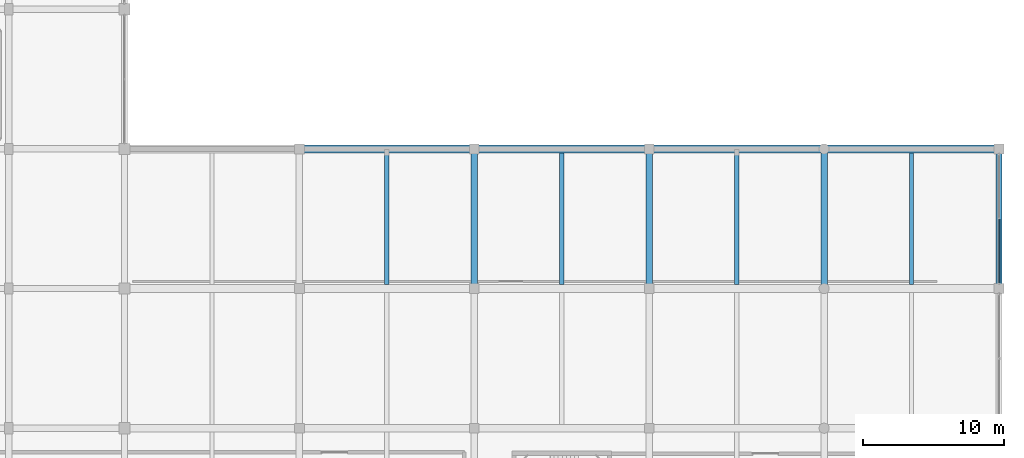
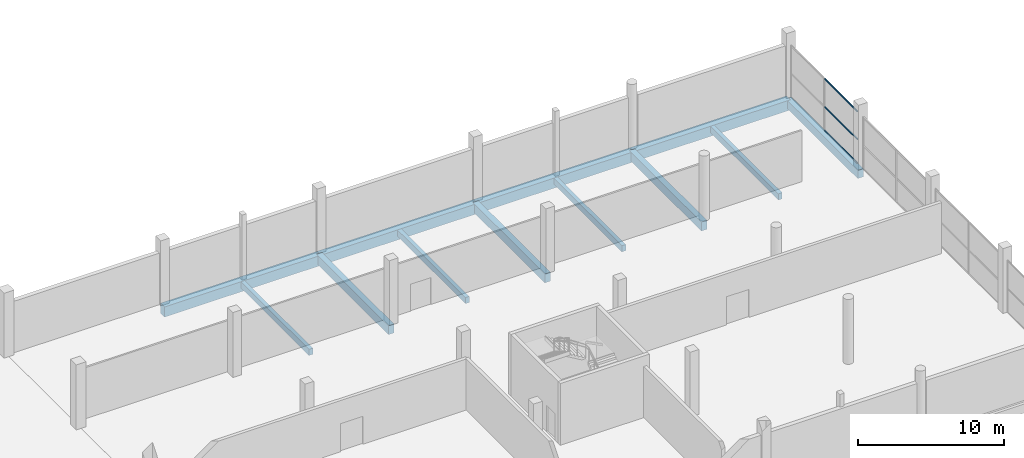
# One storey, part 37 of 72: 12 beams, 3 members, 1 element without a shape of its own.
"""IFC4 building model written with IfcOpenShell, lengths in metres."""

from ifc_helpers import new_model, si_unit, direction, frame, origin, origin_2d, place, context, subcontext, project, spatial, rectangle, hollow_rectangle, extrude, material, layer, layer_set, material_profile, profile_set, type_object, element, aggregate, save


model = new_model("IFC4")

# Units and contexts
model_context = context("Model", 3, precision=1e-05, world=origin(), true_north=direction((0.0, 1.0)))
body_context = subcontext(model_context, "Body", "Model", "MODEL_VIEW")
ifc_project = project(units=[si_unit("LENGTHUNIT", "METRE"), si_unit("AREAUNIT", "SQUARE_METRE"), si_unit("VOLUMEUNIT", "CUBIC_METRE"), si_unit("PLANEANGLEUNIT", "RADIAN"), si_unit("MASSUNIT", "GRAM", prefix="KILO")], contexts=[model_context])

# Site, building, storey
site_placement = place(None, origin())
site = spatial("IfcSite", under=ifc_project, at=site_placement, CompositionType="ELEMENT")
building_placement = place(site_placement, origin())
building = spatial("IfcBuilding", under=site, at=building_placement, Name="Sillaruma Civic Art Gallery", CompositionType="ELEMENT")
storey_placement = place(building_placement, frame((0.0, 0.0, 10.8798828125)))
storey = spatial("IfcBuildingStorey", under=building, at=storey_placement, Name="L02", CompositionType="ELEMENT", Elevation=10.8798828125)

# Beams
ifc_material_1 = material(Name="Concrete H40 (40 MPa)", Category="concrete")
ifc_material_profile_1 = material_profile(ifc_material_1, rectangle(XDim=0.449951171875, YDim=0.75, at=origin_2d()), Name="RCB450x750")
ifc_profile_set_1 = profile_set([ifc_material_profile_1], Name="Concrete H40 (40 MPa)")
beam_type_1 = type_object("IfcBeamType", Name="BM-BEAM-RCB450x750", PredefinedType="BEAM", material=ifc_profile_set_1)
for number, where, z_axis, x_axis, name in (
    (1, (139.199951171875, 29.699951171875, -0.634765625), (0.0, 1.0, 0.0), (-1.0, 0.0, 0.0), "Beam BM-03 (L01:Q:4-5)"),
    (2, (151.60009765625, 29.699951171875, -0.634765625), (0.0, 1.0, 0.0), (-1.0, 0.0, 0.0), "Beam BM-03 (L01:R:4-5)"),
    (3, (164.0, 29.699951171875, -0.634765625), (0.0, 1.0, 0.0), (-1.0, 0.0, 0.0), "Beam BM-03 (L01:S:4-5)"),
):
    element("IfcBeam", number, at=place(storey_placement, frame(where, z_axis=z_axis, x_axis=x_axis)), inside=storey, type_object=beam_type_1, Name=name, PredefinedType="BEAM", context=body_context, shape_type="SweptSolid", body=[
        extrude(rectangle(XDim=0.449951171875, YDim=0.75, at=origin_2d()), origin(), (0.0, 0.0, 1.0), 9.900146484375),
    ])
ifc_material_profile_2 = material_profile(ifc_material_1, rectangle(XDim=0.550048828125, YDim=0.85009765625, at=origin_2d()), Name="RCB550x850")
ifc_profile_set_2 = profile_set([ifc_material_profile_2], Name="Concrete H40 (40 MPa)")
beam_type_2 = type_object("IfcBeamType", Name="BM-BEAM-RCB550x850", PredefinedType="BEAM", material=ifc_profile_set_2)
beam_1_placement = place(storey_placement, frame((126.800048828125, 39.60009765625, -0.684814453125), z_axis=(1.0, 0.0, 0.0), x_axis=(0.0, 1.0, 0.0)))
element("IfcBeam", 4, at=beam_1_placement, inside=storey, type_object=beam_type_2, Name="Beam BM-01 (L01:5:P-Q)", PredefinedType="BEAM", context=body_context, shape_type="SweptSolid", body=[
    extrude(rectangle(XDim=0.550048828125, YDim=0.85009765625, at=origin_2d()), origin(), (0.0, 0.0, 1.0), 12.39990234375),
])
beam_2_placement = place(storey_placement, frame((139.199951171875, 39.60009765625, -0.684814453125), z_axis=(1.0, 0.0, 0.0), x_axis=(0.0, 1.0, 0.0)))
element("IfcBeam", 5, at=beam_2_placement, inside=storey, type_object=beam_type_2, Name="Beam BM-01 (L01:5:Q-R)", PredefinedType="BEAM", context=body_context, shape_type="SweptSolid", body=[
    extrude(rectangle(XDim=0.550048828125, YDim=0.85009765625, at=origin_2d()), origin(), (0.0, 0.0, 1.0), 12.400146484375),
])
for number, where, z_axis, x_axis, name in (
    (6, (151.60009765625, 39.60009765625, -0.684814453125), (1.0, 0.0, 0.0), (0.0, 1.0, 0.0), "Beam BM-01 (L01:5:R-S)"),
    (7, (164.0, 39.60009765625, -0.684814453125), (1.0, 0.0, 0.0), (0.0, 1.0, 0.0), "Beam BM-01 (L01:5:S-T)"),
):
    element("IfcBeam", number, at=place(storey_placement, frame(where, z_axis=z_axis, x_axis=x_axis)), inside=storey, type_object=beam_type_2, Name=name, PredefinedType="BEAM", context=body_context, shape_type="SweptSolid", body=[
        extrude(rectangle(XDim=0.550048828125, YDim=0.85009765625, at=origin_2d()), origin(), (0.0, 0.0, 1.0), 12.39990234375),
    ])
ifc_material_2 = material(Name="Concrete H35 (35 MPa)", Category="concrete")
ifc_material_profile_3 = material_profile(ifc_material_2, rectangle(XDim=0.300048828125, YDim=0.52001953125, at=origin_2d()), Name="RCB300x520")
ifc_profile_set_3 = profile_set([ifc_material_profile_3], Name="Concrete H35 (35 MPa)")
beam_type_3 = type_object("IfcBeamType", Name="BM-JOIST-RCB300x520", PredefinedType="JOIST", material=ifc_profile_set_3)
for number, where, z_axis, x_axis, name in (
    (8, (133.0, 29.97509765625, -0.519775390625), (0.0, 1.0, 0.0), (-1.0, 0.0, 0.0), "Floor Joist JR-01 (L01:PQ:4-5)"),
    (9, (145.39990234375, 29.97509765625, -0.519775390625), (0.0, 1.0, 0.0), (-1.0, 0.0, 0.0), "Floor Joist JR-01 (L01:QR:4-5)"),
    (10, (157.800048828125, 29.97509765625, -0.519775390625), (0.0, 1.0, 0.0), (-1.0, 0.0, 0.0), "Floor Joist JR-01 (L01:RS:4-5)"),
    (11, (170.199951171875, 29.97509765625, -0.519775390625), (0.0, 1.0, 0.0), (-1.0, 0.0, 0.0), "Floor Joist JR-01 (L01:ST:4-5)"),
):
    element("IfcBeam", number, at=place(storey_placement, frame(where, z_axis=z_axis, x_axis=x_axis)), inside=storey, type_object=beam_type_3, Name=name, PredefinedType="JOIST", context=body_context, shape_type="SweptSolid", body=[
        extrude(rectangle(XDim=0.300048828125, YDim=0.52001953125, at=origin_2d()), origin(), (0.0, 0.0, 1.0), 9.349853515625),
    ])
ifc_material_profile_4 = material_profile(ifc_material_2, rectangle(XDim=0.449951171875, YDim=0.699951171875, at=origin_2d()), Name="RCB450x700")
ifc_profile_set_4 = profile_set([ifc_material_profile_4], Name="Concrete H35 (35 MPa)")
beam_type_4 = type_object("IfcBeamType", Name="BM-SPANDREL-RCB450x700", PredefinedType="SPANDREL", material=ifc_profile_set_4)
beam_3_placement = place(storey_placement, frame((176.39990234375, 29.699951171875, -0.60986328125), z_axis=(0.0, 1.0, 0.0), x_axis=(-1.0, 0.0, 0.0)))
element("IfcBeam", 12, at=beam_3_placement, inside=storey, type_object=beam_type_4, Name="Beam BS-03 (L01:T:4-5)", PredefinedType="SPANDREL", context=body_context, shape_type="SweptSolid", body=[
    extrude(rectangle(XDim=0.449951171875, YDim=0.699951171875, at=origin_2d()), origin(), (0.0, 0.0, 1.0), 9.900146484375),
])

# Curtain wall, members
ifc_material_3 = material(Name="Thermally Broken Extruded Aluminium 6063-T6", Category="aluminium")
ifc_layer = layer(ifc_material_3, 0.159912109375, Name="Thermally Broken Extruded Aluminium 6063-T6")
ifc_layer_set = layer_set([ifc_layer], Name="Thermally Broken Extruded Aluminium 6063-T6")
curtain_wall_type = type_object("IfcCurtainWallType", Name="CW-UNI-07", PredefinedType="NOTDEFINED", material=ifc_layer_set)
curtain_wall_placement = place(storey_placement, origin())
curtain_wall = element("IfcCurtainWall", 13, at=curtain_wall_placement, inside=storey, type_object=curtain_wall_type, Name="Unitised Curtain Wall CW-07 (CW-L02-ESTR-4)", PredefinedType="NOTDEFINED")
ifc_material_profile_5 = material_profile(ifc_material_3, hollow_rectangle(XDim=0.06494140625, YDim=0.1201171875, WallThickness=0.00341796875, at=origin_2d()), Name="CWT65x120")
ifc_profile_set_5 = profile_set([ifc_material_profile_5], Name="Thermally Broken Extruded Aluminium 6063-T6")
member_type = type_object("IfcMemberType", Name="MEM-TRN-CWT65x120", PredefinedType="USERDEFINED", material=ifc_profile_set_5)
member_1_placement = place(storey_placement, frame((176.39990234375, 30.114990234375, 0.03271484375), z_axis=(0.0, 1.0, 0.0), x_axis=(-1.0, 0.0, 0.0)))
member_1 = element("IfcMember", 14, at=member_1_placement, type_object=member_type, Name="CW-07 transom 1.1", ObjectType="TRANSOM", PredefinedType="USERDEFINED", context=body_context, shape_type="SweptSolid", body=[
    extrude(hollow_rectangle(XDim=0.06494140625, YDim=0.1201171875, WallThickness=0.00341796875, at=origin_2d()), origin(), (0.0, 0.0, 1.0), 4.50244140625),
])
member_2_placement = place(storey_placement, frame((176.39990234375, 30.114990234375, 2.014892578125), z_axis=(0.0, 1.0, 0.0), x_axis=(-1.0, 0.0, 0.0)))
member_2 = element("IfcMember", 15, at=member_2_placement, type_object=member_type, Name="CW-07 transom 1.2", ObjectType="TRANSOM", PredefinedType="USERDEFINED", context=body_context, shape_type="SweptSolid", body=[
    extrude(hollow_rectangle(XDim=0.06494140625, YDim=0.1201171875, WallThickness=0.00341796875, at=origin_2d()), origin(), (0.0, 0.0, 1.0), 4.50244140625),
])
member_3_placement = place(storey_placement, frame((176.39990234375, 30.114990234375, 4.34765625), z_axis=(0.0, 1.0, 0.0), x_axis=(-1.0, 0.0, 0.0)))
member_3 = element("IfcMember", 16, at=member_3_placement, type_object=member_type, Name="CW-07 transom 1.3", ObjectType="TRANSOM", PredefinedType="USERDEFINED", context=body_context, shape_type="SweptSolid", body=[
    extrude(hollow_rectangle(XDim=0.06494140625, YDim=0.1201171875, WallThickness=0.00341796875, at=origin_2d()), origin(), (0.0, 0.0, 1.0), 4.50244140625),
])
aggregate(curtain_wall, [member_1, member_2, member_3])

save(model, "model.ifc")
